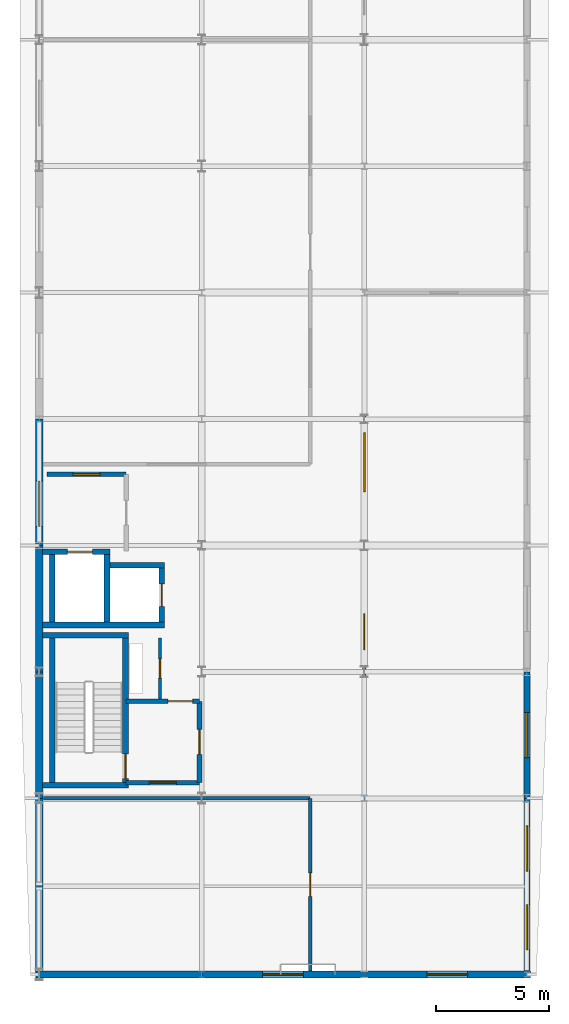
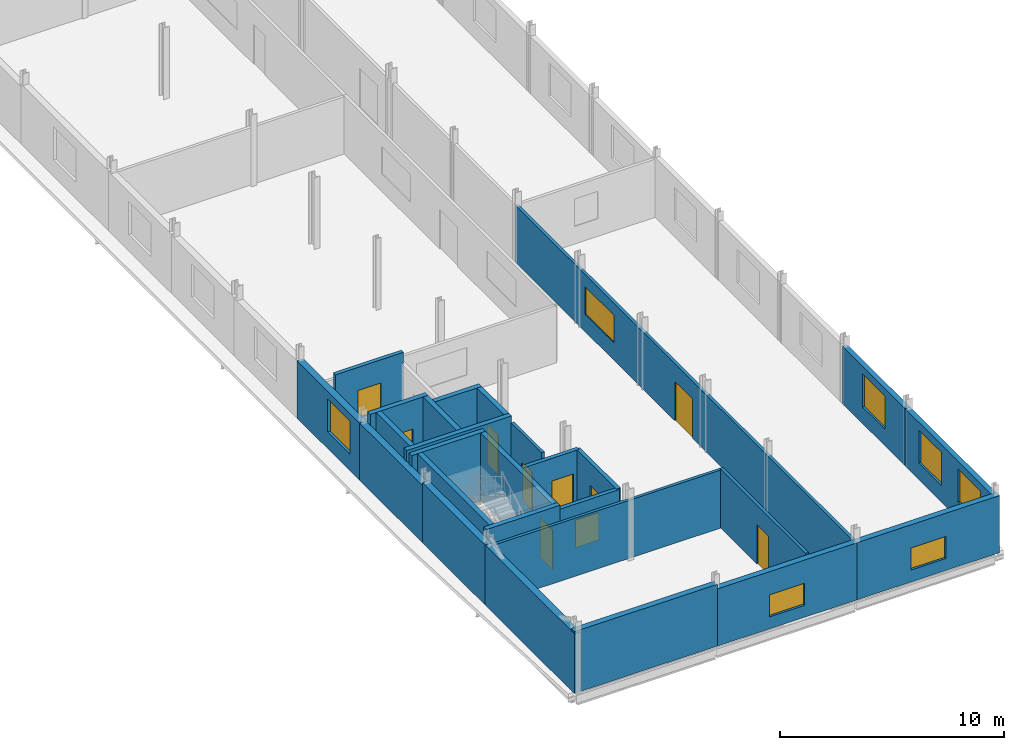
# One storey, part 10 of 16: 27 walls, 9 windows, 8 doors, 17 openings.
"""IFC4 building model written with IfcOpenShell, lengths in metres."""

import ifcopenshell
import ifcopenshell.guid

model = None  # the IFC model being written
_history = None  # IfcOwnerHistory: only IFC2X3 demands one
_inside = {}  # id of a spatial element -> (the spatial element, [elements in it])
_under = {}  # id of a project, library or spatial element -> (it, [spatial elements below it])
_declared = {}  # id of a project -> (the project, [libraries it declares])
_typed = {}  # id of a type object -> (the type object, [elements of that type])
_made_of = {}  # id of a material, layer set ... -> (it, [elements and type objects made of it])


def new_model(schema):
    """Start an empty IFC model of exactly this schema.

    Asked for "IFC4X3", IfcOpenShell would pick the latest addendum, in which some entities
    have other attributes; the version numbers below select the first issue.
    IFC2X3 requires an IfcOwnerHistory on every rooted entity: one is made here for all.
    """
    global model, _history
    if schema == "IFC4X3":
        model = ifcopenshell.file(schema_version=(4, 3, 0, 0))
    else:
        model = ifcopenshell.file(schema=schema)
    _inside.clear()
    _under.clear()
    _declared.clear()
    _typed.clear()
    _made_of.clear()
    _history = None
    if model.schema == "IFC2X3":
        org = make("IfcOrganization", Name="unknown")
        user = make(
            "IfcPersonAndOrganization",
            ThePerson=make("IfcPerson", FamilyName="unknown"),
            TheOrganization=org,
        )
        app = make(
            "IfcApplication",
            ApplicationDeveloper=org,
            Version="unknown",
            ApplicationFullName="unknown",
            ApplicationIdentifier="unknown",
        )
        _history = make(
            "IfcOwnerHistory",
            OwningUser=user,
            OwningApplication=app,
            ChangeAction="ADDED",
            CreationDate=0,
        )
    return model


def make(cls, **values):
    """One entity of the class cls with the attributes given. An attribute that is None is left unset."""
    return model.create_entity(
        cls, **{name: value for name, value in values.items() if value is not None}
    )


def rooted(cls, **values):
    """An entity with a GlobalId (a new one), such as an element, a storey or a relation."""
    return make(cls, GlobalId=ifcopenshell.guid.new(), OwnerHistory=_history, **values)


def si_unit(unit_type, name, prefix=None):
    """IfcSIUnit, for example si_unit("LENGTHUNIT", "METRE", prefix="MILLI")."""
    return make("IfcSIUnit", UnitType=unit_type, Prefix=prefix, Name=name)


def assignment(units):
    """IfcUnitAssignment: the units of a project."""
    return None if units is None else make("IfcUnitAssignment", Units=units)


def point(xyz):
    """IfcCartesianPoint."""
    return None if xyz is None else make("IfcCartesianPoint", Coordinates=xyz)


def direction(xyz):
    """IfcDirection."""
    return None if xyz is None else make("IfcDirection", DirectionRatios=xyz)


def frame(location, z_axis=None, x_axis=None):
    """IfcAxis2Placement3D, a coordinate frame: its origin and axes. An axis left out is left unset."""
    return make(
        "IfcAxis2Placement3D",
        Location=point(location),
        Axis=direction(z_axis),
        RefDirection=direction(x_axis),
    )


def frame_2d(location, x_axis=None):
    """IfcAxis2Placement2D, a coordinate frame in the plane: its origin and x axis."""
    return make(
        "IfcAxis2Placement2D", Location=point(location), RefDirection=direction(x_axis)
    )


def origin():
    """The frame at (0, 0, 0) with its axes left unset."""
    return frame((0.0, 0.0, 0.0))


def place(relative_to, where):
    """IfcLocalPlacement: puts the frame where relative to a parent placement (None: the world)."""
    return make(
        "IfcLocalPlacement", PlacementRelTo=relative_to, RelativePlacement=where
    )


def context(
    kind, dimensions, precision=None, world=None, true_north=None, identifier=None
):
    """IfcGeometricRepresentationContext, for example the 3D "Model" context."""
    return make(
        "IfcGeometricRepresentationContext",
        ContextIdentifier=identifier,
        ContextType=kind,
        CoordinateSpaceDimension=dimensions,
        Precision=precision,
        WorldCoordinateSystem=world,
        TrueNorth=true_north,
    )


def subcontext(parent, identifier, kind, view, scale=None):
    """IfcGeometricRepresentationSubContext, for example "Body" below "Model"."""
    return make(
        "IfcGeometricRepresentationSubContext",
        ContextIdentifier=identifier,
        ContextType=kind,
        ParentContext=parent,
        TargetScale=scale,
        TargetView=view,
    )


def project(units=None, contexts=None):
    """IfcProject with its units and contexts."""
    return rooted(
        "IfcProject",
        Name="project",
        RepresentationContexts=contexts,
        UnitsInContext=assignment(units),
    )


def spatial(cls, under=None, at=None, **own):
    """A site, building, storey or space (cls), placed at a placement, below another one or the project."""
    s = rooted(cls, ObjectPlacement=at, **own)
    if under is not None:
        _under.setdefault(under.id(), (under, []))[1].append(s)
    return s


def profile(cls, at=None, kind="AREA", **sizes):
    """A parametric profile (cls). Its sizes go by their IFC names, for example OverallWidth=200.0."""
    return make(cls, ProfileType=kind, Position=at, **sizes)


def rectangle(**sizes):
    """IfcRectangleProfileDef."""
    return profile("IfcRectangleProfileDef", **sizes)


def extrude(swept, where, along, depth):
    """IfcExtrudedAreaSolid: the profile swept, set in the frame where, extruded along a direction by depth."""
    return make(
        "IfcExtrudedAreaSolid",
        SweptArea=swept,
        Position=where,
        ExtrudedDirection=direction(along),
        Depth=depth,
    )


def shape(context_of_items, identifier, shape_type, items):
    """IfcShapeRepresentation: the items that make up one representation, for example the "Body"."""
    return make(
        "IfcShapeRepresentation",
        ContextOfItems=context_of_items,
        RepresentationIdentifier=identifier,
        RepresentationType=shape_type,
        Items=items,
    )


def material(Name=None, Category=None):
    """IfcMaterial."""
    return make("IfcMaterial", Name=Name, Category=Category)


def layer(
    of_material, thickness, ventilated=None, Name=None, Category=None, Priority=None
):
    """IfcMaterialLayer: one layer of a wall or slab, of a material (None: an air gap)."""
    return make(
        "IfcMaterialLayer",
        Material=of_material,
        LayerThickness=thickness,
        IsVentilated=ventilated,
        Name=Name,
        Category=Category,
        Priority=Priority,
    )


def layer_set(layers, Name=None):
    """IfcMaterialLayerSet."""
    return make("IfcMaterialLayerSet", MaterialLayers=layers, LayerSetName=Name)


def made_of(thing, what):
    """Note that an element or type object is made of a material, layer set ...; save() writes the relation."""
    if what is not None:
        _made_of.setdefault(what.id(), (what, []))[1].append(thing)
    return thing


def type_object(cls, material=None, **own):
    """A type object (cls), such as IfcWallType, which elements share."""
    return made_of(rooted(cls, **own), material)


def element(
    cls,
    number,
    at=None,
    inside=None,
    cuts=None,
    type_object=None,
    material=None,
    context=None,
    identifier="Body",
    shape_type=None,
    held_by="IfcProductDefinitionShape",
    body=None,
    shapes=None,
    **own,
):
    """One element of the class cls, such as IfcWall. Its Tag is "e" and its number.

    at: its placement. inside: the storey or other place that contains it. cuts: it is an
    opening in that element (IfcRelVoidsElement). A single representation is given by context,
    identifier, shape_type and body (its items); several are given by shapes. held_by: the class
    of the entity that holds the representations. save() writes the other relations.
    """
    e = rooted(cls, Tag="e%d" % number, ObjectPlacement=at, **own)
    if body is not None:
        shapes = [shape(context, identifier, shape_type, body)]
    if shapes is not None:
        e.Representation = make(held_by, Representations=shapes)
    if inside is not None:
        _inside.setdefault(inside.id(), (inside, []))[1].append(e)
    if cuts is not None:
        rooted(
            "IfcRelVoidsElement", RelatingBuildingElement=cuts, RelatedOpeningElement=e
        )
    if type_object is not None:
        _typed.setdefault(type_object.id(), (type_object, []))[1].append(e)
    return made_of(e, material)


def fill(opening, filler):
    """IfcRelFillsElement: the door or window that sits in an opening."""
    return rooted(
        "IfcRelFillsElement",
        RelatingOpeningElement=opening,
        RelatedBuildingElement=filler,
    )


def aggregate(whole, parts):
    """IfcRelAggregates: a whole, such as a stair, and the parts it consists of."""
    return rooted("IfcRelAggregates", RelatingObject=whole, RelatedObjects=parts)


def save(model, path):
    """Write the relations noted so far, then the file.

    IfcRelAggregates (storeys below a building ...), IfcRelContainedInSpatialStructure (elements
    in a storey), IfcRelDefinesByType, IfcRelAssociatesMaterial and IfcRelDeclares: one each for
    every whole, place, type object, material and project.
    """
    for whole, parts in _under.values():
        aggregate(whole, parts)
    for where, things in _inside.values():
        rooted(
            "IfcRelContainedInSpatialStructure",
            RelatedElements=things,
            RelatingStructure=where,
        )
    for kind, things in _typed.values():
        rooted("IfcRelDefinesByType", RelatedObjects=things, RelatingType=kind)
    for what, things in _made_of.values():
        rooted("IfcRelAssociatesMaterial", RelatedObjects=things, RelatingMaterial=what)
    for by, libraries in _declared.values():
        rooted("IfcRelDeclares", RelatingContext=by, RelatedDefinitions=libraries)
    model.write(path)


model = new_model("IFC4")

# Units and contexts
model_context = context("Model", 3, precision=1e-05, world=origin(), true_north=direction((0.0, 1.0)))
body_context = subcontext(model_context, "Body", "Model", "MODEL_VIEW")
ifc_project = project(units=[si_unit("LENGTHUNIT", "METRE"), si_unit("AREAUNIT", "SQUARE_METRE"), si_unit("VOLUMEUNIT", "CUBIC_METRE"), si_unit("PLANEANGLEUNIT", "RADIAN"), si_unit("MASSUNIT", "GRAM", prefix="KILO")], contexts=[model_context])

# Site, building, storey
site_placement = place(None, origin())
site = spatial("IfcSite", under=ifc_project, at=site_placement, CompositionType="ELEMENT")
building_placement = place(site_placement, origin())
building = spatial("IfcBuilding", under=site, at=building_placement, Name="Vinh Khe Railworks Police Headquarters", CompositionType="ELEMENT")
storey_placement = place(building_placement, frame((0.0, 0.0, 28.800048828125)))
storey = spatial("IfcBuildingStorey", under=building, at=storey_placement, Name="L07", CompositionType="ELEMENT", Elevation=28.800048828125)

# Walls
ifc_material_1 = material(Name="Concrete C40/50 (B40)", Category="concrete")
ifc_layer_1 = layer(ifc_material_1, 0.25)
ifc_layer_set_1 = layer_set([ifc_layer_1], Name="Concrete C40/50 (B40)")
wall_type_1 = type_object("IfcWallType", Name="Core Shear Wall 250", PredefinedType="SHEAR", material=ifc_layer_set_1)
for number, where, z_axis, x_axis, name in (
    (1, (0.75, 25.77490234375, 0.0), (0.0, 0.0, 1.0), (1.0, 0.0, 0.0), "Core C1 STAIR-S Shear Wall (L07)"),
    (2, (0.75, 32.425048828125, 0.0), (0.0, 0.0, 1.0), (1.0, 0.0, 0.0), "Core C1 STAIR-N Shear Wall (L07)"),
):
    element("IfcWall", number, at=place(storey_placement, frame(where, z_axis=z_axis, x_axis=x_axis)), inside=storey, type_object=wall_type_1, Name=name, PredefinedType="SHEAR", context=body_context, shape_type="SweptSolid", body=[
        extrude(rectangle(XDim=3.800048828125, YDim=0.25, at=frame_2d((1.89990234375, 0.0))), origin(), (0.0, 0.0, 1.0), 3.719970703125),
    ])
wall_1_placement = place(storey_placement, frame((1.175048828125, 25.89990234375, 0.0), z_axis=(0.0, 0.0, 1.0), x_axis=(0.0, 1.0, 0.0)))
element("IfcWall", 3, at=wall_1_placement, inside=storey, type_object=wall_type_1, Name="Core C1 STAIR-W Shear Wall (L07)", PredefinedType="SHEAR", context=body_context, shape_type="SweptSolid", body=[
    extrude(rectangle(XDim=6.400146484375, YDim=0.25, at=frame_2d((3.2001953125, 0.0))), origin(), (0.0, 0.0, 1.0), 3.719970703125),
])

# Wall, opening, door
wall_2_placement = place(storey_placement, frame((4.425048828125, 25.89990234375, 0.0), z_axis=(0.0, 0.0, 1.0), x_axis=(0.0, 1.0, 0.0)))
wall_2 = element("IfcWall", 4, at=wall_2_placement, inside=storey, type_object=wall_type_1, Name="Core C1 STAIR-E Shear Wall (L07)", PredefinedType="SHEAR", context=body_context, shape_type="SweptSolid", body=[
    extrude(rectangle(XDim=6.400146484375, YDim=0.25, at=frame_2d((3.2001953125, 0.0))), origin(), (0.0, 0.0, 1.0), 3.719970703125),
])
opening_1_placement = place(wall_2_placement, frame((0.169921875, 0.0, 0.0)))
opening_1 = element("IfcOpeningElement", 5, at=opening_1_placement, cuts=wall_2, Name="Opening FD-01", PredefinedType="OPENING", context=body_context, shape_type="SweptSolid", body=[
    extrude(rectangle(XDim=1.10009765625, YDim=2.14990234375, at=frame_2d((0.550048828125, 1.074951171875))), frame((0.0, 0.139892578125, 0.0), z_axis=(0.0, -1.0, 0.0), x_axis=(1.0, 0.0, 0.0)), (0.0, 0.0, 1.0), 0.27978515625),
])
ifc_material_2 = material(Name="Painted galvanised steel", Category="steel")
door_type_1 = type_object("IfcDoorType", Name="FD-1100x2150", OperationType="NOTDEFINED", PredefinedType="DOOR", material=ifc_material_2)
door_1_placement = place(opening_1_placement, frame((1.10009765625, 0.0, 0.0), z_axis=(0.0, 0.0, 1.0), x_axis=(-1.0, 0.0, 0.0)))
door_1 = element("IfcDoor", 6, at=door_1_placement, inside=storey, type_object=door_type_1, Name="Escape Stair ST-01 Fire Door L07", OperationType="SINGLE_SWING_RIGHT", OverallHeight=2.14990234375, OverallWidth=1.10009765625, PredefinedType="DOOR", context=body_context, shape_type="SweptSolid", body=[
    extrude(rectangle(XDim=1.10009765625, YDim=2.14990234375, at=frame_2d((0.550048828125, 1.074951171875))), frame((0.0, 0.02490234375, 0.0), z_axis=(0.0, -1.0, 0.0), x_axis=(1.0, 0.0, 0.0)), (0.0, 0.0, 1.0), 0.050048828125),
])
fill(opening_1, door_1)

# Wall
wall_3_placement = place(storey_placement, frame((0.75, 32.875, 0.0), z_axis=(0.0, 0.0, 1.0), x_axis=(1.0, 0.0, 0.0)))
element("IfcWall", 7, at=wall_3_placement, inside=storey, type_object=wall_type_1, Name="Core C1 FL-S Lift Shaft Wall (L07)", PredefinedType="SHEAR", context=body_context, shape_type="SweptSolid", body=[
    extrude(rectangle(XDim=5.39990234375, YDim=0.25, at=frame_2d((2.699951171875, 0.0))), origin(), (0.0, 0.0, 1.0), 3.719970703125),
])

# Wall, opening, door
wall_4_placement = place(storey_placement, frame((0.75, 36.125, 0.0), z_axis=(0.0, 0.0, 1.0), x_axis=(1.0, 0.0, 0.0)))
wall_4 = element("IfcWall", 8, at=wall_4_placement, inside=storey, type_object=wall_type_1, Name="Core C1 FL-N Lift Shaft Wall (L07)", PredefinedType="SHEAR", context=body_context, shape_type="SweptSolid", body=[
    extrude(rectangle(XDim=2.97509765625, YDim=0.25, at=frame_2d((1.487548828125, 0.0))), origin(), (0.0, 0.0, 1.0), 3.719970703125),
])
opening_2_placement = place(wall_4_placement, frame((1.10009765625, 0.0, 0.0)))
opening_2 = element("IfcOpeningElement", 9, at=opening_2_placement, cuts=wall_4, Name="Opening LD-01", PredefinedType="OPENING", context=body_context, shape_type="SweptSolid", body=[
    extrude(rectangle(XDim=1.10009765625, YDim=2.14990234375, at=frame_2d((0.550048828125, 1.074951171875))), frame((0.0, 0.139892578125, 0.0), z_axis=(0.0, -1.0, 0.0), x_axis=(1.0, 0.0, 0.0)), (0.0, 0.0, 1.0), 0.27978515625),
])
door_type_2 = type_object("IfcDoorType", Name="LD-FF-1100", OperationType="SLIDING_TO_LEFT", PredefinedType="DOOR", material=ifc_material_2)
door_2_placement = place(opening_2_placement, origin())
door_2 = element("IfcDoor", 10, at=door_2_placement, inside=storey, type_object=door_type_2, Name="Firefighting Lift Landing Door FL-01 L07", OperationType="SLIDING_TO_LEFT", OverallHeight=2.14990234375, OverallWidth=1.10009765625, PredefinedType="DOOR", context=body_context, shape_type="SweptSolid", body=[
    extrude(rectangle(XDim=1.10009765625, YDim=2.14990234375, at=frame_2d((0.550048828125, 1.074951171875))), frame((0.0, 0.02490234375, 0.0), z_axis=(0.0, -1.0, 0.0), x_axis=(1.0, 0.0, 0.0)), (0.0, 0.0, 1.0), 0.050048828125),
])
fill(opening_2, door_2)

# Walls
wall_5_placement = place(storey_placement, frame((3.72509765625, 35.52490234375, 0.0), z_axis=(0.0, 0.0, 1.0), x_axis=(1.0, 0.0, 0.0)))
element("IfcWall", 11, at=wall_5_placement, inside=storey, type_object=wall_type_1, Name="Core C1 PL-N Lift Shaft Wall (L07)", PredefinedType="SHEAR", context=body_context, shape_type="SweptSolid", body=[
    extrude(rectangle(XDim=2.4248046875, YDim=0.25, at=frame_2d((1.21240234375, 0.0))), origin(), (0.0, 0.0, 1.0), 3.719970703125),
])
for number, where, z_axis, x_axis, name in (
    (12, (1.175048828125, 33.0, 0.0), (0.0, 0.0, 1.0), (0.0, 1.0, 0.0), "Core C1 FL-W Lift Shaft Wall (L07)"),
    (13, (3.60009765625, 33.0, 0.0), (0.0, 0.0, 1.0), (0.0, 1.0, 0.0), "Core C1 LIFT-DIV Lift Shaft Wall (L07)"),
):
    element("IfcWall", number, at=place(storey_placement, frame(where, z_axis=z_axis, x_axis=x_axis)), inside=storey, type_object=wall_type_1, Name=name, PredefinedType="SHEAR", context=body_context, shape_type="SweptSolid", body=[
        extrude(rectangle(XDim=3.0, YDim=0.25, at=frame_2d((1.5, 0.0))), origin(), (0.0, 0.0, 1.0), 3.719970703125),
    ])

# Wall, opening, door
wall_6_placement = place(storey_placement, frame((6.02490234375, 33.0, 0.0), z_axis=(0.0, 0.0, 1.0), x_axis=(0.0, 1.0, 0.0)))
wall_6 = element("IfcWall", 14, at=wall_6_placement, inside=storey, type_object=wall_type_1, Name="Core C1 PL-E Lift Shaft Wall (L07)", PredefinedType="SHEAR", context=body_context, shape_type="SweptSolid", body=[
    extrude(rectangle(XDim=2.39990234375, YDim=0.25, at=frame_2d((1.199951171875, 0.0))), origin(), (0.0, 0.0, 1.0), 3.719970703125),
])
opening_3_placement = place(wall_6_placement, frame((0.699951171875, 0.0, 0.0)))
opening_3 = element("IfcOpeningElement", 15, at=opening_3_placement, cuts=wall_6, Name="Opening LD-02", PredefinedType="OPENING", context=body_context, shape_type="SweptSolid", body=[
    extrude(rectangle(XDim=1.0, YDim=2.14990234375, at=frame_2d((0.5, 1.074951171875))), frame((0.0, 0.139892578125, 0.0), z_axis=(0.0, -1.0, 0.0), x_axis=(1.0, 0.0, 0.0)), (0.0, 0.0, 1.0), 0.27978515625),
])
door_type_3 = type_object("IfcDoorType", Name="LD-PAX-1000", OperationType="SLIDING_TO_RIGHT", PredefinedType="DOOR", material=ifc_material_2)
door_3_placement = place(opening_3_placement, frame((1.0, 0.0, 0.0), z_axis=(0.0, 0.0, 1.0), x_axis=(-1.0, 0.0, 0.0)))
door_3 = element("IfcDoor", 16, at=door_3_placement, inside=storey, type_object=door_type_3, Name="Passenger Lift Landing Door PL-01 L07", OperationType="SLIDING_TO_RIGHT", OverallHeight=2.14990234375, OverallWidth=1.0, PredefinedType="DOOR", context=body_context, shape_type="SweptSolid", body=[
    extrude(rectangle(XDim=1.0, YDim=2.14990234375, at=frame_2d((0.5, 1.074951171875))), frame((0.0, 0.02490234375, 0.0), z_axis=(0.0, -1.0, 0.0), x_axis=(1.0, 0.0, 0.0)), (0.0, 0.0, 1.0), 0.050048828125),
])
fill(opening_3, door_3)

# Wall, openings, windows
ifc_material_3 = material(Name="Clay brickwork", Category="masonry")
ifc_layer_2 = layer(ifc_material_3, 0.260009765625)
ifc_layer_set_2 = layer_set([ifc_layer_2], Name="Clay brickwork")
wall_type_2 = type_object("IfcWallType", Name="EW-BRK-260", PredefinedType="SOLIDWALL", material=ifc_layer_set_2)
wall_7_placement = place(storey_placement, frame((22.199951171875, 17.27001953125, 0.0), z_axis=(0.0, 0.0, 1.0), x_axis=(0.0, 1.0, 0.0)))
wall_7 = element("IfcWall", 17, at=wall_7_placement, inside=storey, type_object=wall_type_2, Name="Exterior Brick Wall EW-L07-V5E-01", PredefinedType="SOLIDWALL", context=body_context, shape_type="SweptSolid", body=[
    extrude(rectangle(XDim=7.929931640625, YDim=0.260009765625, at=frame_2d((3.96484375, 0.0))), origin(), (0.0, 0.0, 1.0), 3.114990234375),
])
opening_4_placement = place(wall_7_placement, frame((1.220458984375, 0.0, 0.89990234375)))
opening_4 = element("IfcOpeningElement", 18, at=opening_4_placement, cuts=wall_7, Name="Opening WN-04", PredefinedType="OPENING", context=body_context, shape_type="SweptSolid", body=[
    extrude(rectangle(XDim=2.0, YDim=1.800048828125, at=frame_2d((1.0, 0.89990234375))), frame((0.0, 0.14501953125, 0.0), z_axis=(0.0, -1.0, 0.0), x_axis=(1.0, 0.0, 0.0)), (0.0, 0.0, 1.0), 0.289794921875),
])
opening_5_placement = place(wall_7_placement, frame((4.709716796875, 0.0, 0.89990234375)))
opening_5 = element("IfcOpeningElement", 19, at=opening_5_placement, cuts=wall_7, Name="Opening WN-04", PredefinedType="OPENING", context=body_context, shape_type="SweptSolid", body=[
    extrude(rectangle(XDim=2.0, YDim=1.800048828125, at=frame_2d((1.0, 0.89990234375))), frame((0.0, 0.14501953125, 0.0), z_axis=(0.0, -1.0, 0.0), x_axis=(1.0, 0.0, 0.0)), (0.0, 0.0, 1.0), 0.289794921875),
])
ifc_material_4 = material(Name="Double-glazed solar-control glass in dark steel frame", Category="steel")
window_type_1 = type_object("IfcWindowType", Name="WIN-WN-04", PartitioningType="DOUBLE_PANEL_VERTICAL", PredefinedType="WINDOW", material=ifc_material_4)
window_1_placement = place(opening_4_placement, origin())
window_1 = element("IfcWindow", 20, at=window_1_placement, inside=storey, type_object=window_type_1, Name="Casement Window WN-04", OverallHeight=1.800048828125, OverallWidth=2.0, PartitioningType="SINGLE_PANEL", PredefinedType="WINDOW", context=body_context, shape_type="SweptSolid", body=[
    extrude(rectangle(XDim=2.0, YDim=1.800048828125, at=frame_2d((1.0, 0.89990234375))), frame((0.0, 0.030029296875, 0.0), z_axis=(0.0, -1.0, 0.0), x_axis=(1.0, 0.0, 0.0)), (0.0, 0.0, 1.0), 0.06005859375),
])
fill(opening_4, window_1)
window_2_placement = place(opening_5_placement, origin())
window_2 = element("IfcWindow", 21, at=window_2_placement, inside=storey, type_object=window_type_1, Name="Casement Window WN-04", OverallHeight=1.800048828125, OverallWidth=2.0, PartitioningType="SINGLE_PANEL", PredefinedType="WINDOW", context=body_context, shape_type="SweptSolid", body=[
    extrude(rectangle(XDim=2.0, YDim=1.800048828125, at=frame_2d((1.0, 0.89990234375))), frame((0.0, 0.030029296875, 0.0), z_axis=(0.0, -1.0, 0.0), x_axis=(1.0, 0.0, 0.0)), (0.0, 0.0, 1.0), 0.06005859375),
])
fill(opening_5, window_2)

# Wall, opening, window
wall_8_placement = place(storey_placement, frame((22.199951171875, 25.199951171875, 0.0), z_axis=(0.0, 0.0, 1.0), x_axis=(0.0, 1.0, 0.0)))
wall_8 = element("IfcWall", 22, at=wall_8_placement, inside=storey, type_object=wall_type_2, Name="Exterior Brick Wall EW-L07-V5E-02", PredefinedType="SOLIDWALL", context=body_context, shape_type="SweptSolid", body=[
    extrude(rectangle(XDim=5.60009765625, YDim=0.260009765625, at=frame_2d((2.800048828125, 0.0))), origin(), (0.0, 0.0, 1.0), 3.114990234375),
])
opening_6_placement = place(wall_8_placement, frame((1.800048828125, 0.0, 0.89990234375)))
opening_6 = element("IfcOpeningElement", 23, at=opening_6_placement, cuts=wall_8, Name="Opening WN-04", PredefinedType="OPENING", context=body_context, shape_type="SweptSolid", body=[
    extrude(rectangle(XDim=2.0, YDim=1.800048828125, at=frame_2d((1.0, 0.89990234375))), frame((0.0, 0.14501953125, 0.0), z_axis=(0.0, -1.0, 0.0), x_axis=(1.0, 0.0, 0.0)), (0.0, 0.0, 1.0), 0.289794921875),
])
window_3_placement = place(opening_6_placement, origin())
window_3 = element("IfcWindow", 24, at=window_3_placement, inside=storey, type_object=window_type_1, Name="Casement Window WN-04", OverallHeight=1.800048828125, OverallWidth=2.0, PartitioningType="SINGLE_PANEL", PredefinedType="WINDOW", context=body_context, shape_type="SweptSolid", body=[
    extrude(rectangle(XDim=2.0, YDim=1.800048828125, at=frame_2d((1.0, 0.89990234375))), frame((0.0, 0.030029296875, 0.0), z_axis=(0.0, -1.0, 0.0), x_axis=(1.0, 0.0, 0.0)), (0.0, 0.0, 1.0), 0.06005859375),
])
fill(opening_6, window_3)

# Wall
ifc_layer_3 = layer(ifc_material_3, 0.300048828125)
ifc_layer_set_3 = layer_set([ifc_layer_3], Name="Clay brickwork")
wall_type_3 = type_object("IfcWallType", Name="EW-BRK-300", PredefinedType="SOLIDWALL", material=ifc_layer_set_3)
wall_9_placement = place(storey_placement, frame((0.449951171875, 17.39990234375, 0.0), z_axis=(0.0, 0.0, 1.0), x_axis=(1.0, 0.0, 0.0)))
element("IfcWall", 25, at=wall_9_placement, inside=storey, type_object=wall_type_3, Name="Exterior Brick Wall EW-L07-V5S-01", PredefinedType="SOLIDWALL", context=body_context, shape_type="SweptSolid", body=[
    extrude(rectangle(XDim=7.35009765625, YDim=0.300048828125, at=frame_2d((3.675048828125, 0.0))), origin(), (0.0, 0.0, 1.0), 3.364990234375),
])

# Wall, opening, window
wall_10_placement = place(storey_placement, frame((7.800048828125, 17.39990234375, 0.0), z_axis=(0.0, 0.0, 1.0), x_axis=(1.0, 0.0, 0.0)))
wall_10 = element("IfcWall", 26, at=wall_10_placement, inside=storey, type_object=wall_type_3, Name="Exterior Brick Wall EW-L07-V5S-02", PredefinedType="SOLIDWALL", context=body_context, shape_type="SweptSolid", body=[
    extrude(rectangle(XDim=7.199951171875, YDim=0.300048828125, at=frame_2d((3.60009765625, 0.0))), origin(), (0.0, 0.0, 1.0), 3.114990234375),
])
opening_7_placement = place(wall_10_placement, frame((2.699951171875, 0.0, 0.64990234375)))
opening_7 = element("IfcOpeningElement", 27, at=opening_7_placement, cuts=wall_10, Name="Opening WN-08", PredefinedType="OPENING", context=body_context, shape_type="SweptSolid", body=[
    extrude(rectangle(XDim=1.800048828125, YDim=1.199951171875, at=frame_2d((0.89990234375, 0.60009765625))), frame((0.0, 0.1650390625, 0.0), z_axis=(0.0, -1.0, 0.0), x_axis=(1.0, 0.0, 0.0)), (0.0, 0.0, 1.0), 0.329833984375),
])
window_type_2 = type_object("IfcWindowType", Name="WIN-WN-08", PartitioningType="SINGLE_PANEL", PredefinedType="WINDOW", material=ifc_material_4)
window_4_placement = place(opening_7_placement, origin())
window_4 = element("IfcWindow", 28, at=window_4_placement, inside=storey, type_object=window_type_2, Name="Casement Window WN-08", OverallHeight=1.199951171875, OverallWidth=1.800048828125, PartitioningType="SINGLE_PANEL", PredefinedType="WINDOW", context=body_context, shape_type="SweptSolid", body=[
    extrude(rectangle(XDim=1.800048828125, YDim=1.199951171875, at=frame_2d((0.89990234375, 0.60009765625))), frame((0.0, 0.030029296875, 0.0), z_axis=(0.0, -1.0, 0.0), x_axis=(1.0, 0.0, 0.0)), (0.0, 0.0, 1.0), 0.06005859375),
])
fill(opening_7, window_4)

wall_11_placement = place(storey_placement, frame((15.0, 17.39990234375, 0.0), z_axis=(0.0, 0.0, 1.0), x_axis=(1.0, 0.0, 0.0)))
wall_11 = element("IfcWall", 29, at=wall_11_placement, inside=storey, type_object=wall_type_3, Name="Exterior Brick Wall EW-L07-V5S-03", PredefinedType="SOLIDWALL", context=body_context, shape_type="SweptSolid", body=[
    extrude(rectangle(XDim=7.35009765625, YDim=0.300048828125, at=frame_2d((3.675048828125, 0.0))), origin(), (0.0, 0.0, 1.0), 3.114990234375),
])
opening_8_placement = place(wall_11_placement, frame((2.77490234375, 0.0, 0.64990234375)))
opening_8 = element("IfcOpeningElement", 30, at=opening_8_placement, cuts=wall_11, Name="Opening WN-08", PredefinedType="OPENING", context=body_context, shape_type="SweptSolid", body=[
    extrude(rectangle(XDim=1.800048828125, YDim=1.199951171875, at=frame_2d((0.89990234375, 0.60009765625))), frame((0.0, 0.1650390625, 0.0), z_axis=(0.0, -1.0, 0.0), x_axis=(1.0, 0.0, 0.0)), (0.0, 0.0, 1.0), 0.329833984375),
])
window_5_placement = place(opening_8_placement, origin())
window_5 = element("IfcWindow", 31, at=window_5_placement, inside=storey, type_object=window_type_2, Name="Casement Window WN-08", OverallHeight=1.199951171875, OverallWidth=1.800048828125, PartitioningType="SINGLE_PANEL", PredefinedType="WINDOW", context=body_context, shape_type="SweptSolid", body=[
    extrude(rectangle(XDim=1.800048828125, YDim=1.199951171875, at=frame_2d((0.89990234375, 0.60009765625))), frame((0.0, 0.030029296875, 0.0), z_axis=(0.0, -1.0, 0.0), x_axis=(1.0, 0.0, 0.0)), (0.0, 0.0, 1.0), 0.06005859375),
])
fill(opening_8, window_5)

# Walls
ifc_layer_4 = layer(ifc_material_3, 0.340087890625)
ifc_layer_set_4 = layer_set([ifc_layer_4], Name="Clay brickwork")
wall_type_4 = type_object("IfcWallType", Name="EW-BRK-340", PredefinedType="SOLIDWALL", material=ifc_layer_set_4)
wall_12_placement = place(storey_placement, frame((0.60009765625, 17.22998046875, 0.0), z_axis=(0.0, 0.0, 1.0), x_axis=(0.0, 1.0, 0.0)))
element("IfcWall", 32, at=wall_12_placement, inside=storey, type_object=wall_type_4, Name="Exterior Brick Wall EW-L07-V5W-01", PredefinedType="SOLIDWALL", context=body_context, shape_type="SweptSolid", body=[
    extrude(rectangle(XDim=7.969970703125, YDim=0.340087890625, at=frame_2d((3.98486328125, 0.0))), origin(), (0.0, 0.0, 1.0), 3.264892578125),
])
wall_13_placement = place(storey_placement, frame((0.60009765625, 25.199951171875, 0.0), z_axis=(0.0, 0.0, 1.0), x_axis=(0.0, 1.0, 0.0)))
element("IfcWall", 33, at=wall_13_placement, inside=storey, type_object=wall_type_4, Name="Exterior Brick Wall EW-L07-V5W-02", PredefinedType="SOLIDWALL", context=body_context, shape_type="SweptSolid", body=[
    extrude(rectangle(XDim=5.60009765625, YDim=0.340087890625, at=frame_2d((2.800048828125, 0.0))), origin(), (0.0, 0.0, 1.0), 3.264892578125),
])
wall_14_placement = place(storey_placement, frame((0.60009765625, 30.800048828125, 0.0), z_axis=(0.0, 0.0, 1.0), x_axis=(0.0, 1.0, 0.0)))
element("IfcWall", 34, at=wall_14_placement, inside=storey, type_object=wall_type_4, Name="Exterior Brick Wall EW-L07-V5W-03", PredefinedType="SOLIDWALL", context=body_context, shape_type="SweptSolid", body=[
    extrude(rectangle(XDim=5.599853515625, YDim=0.340087890625, at=frame_2d((2.7998046875, 0.0))), origin(), (0.0, 0.0, 1.0), 3.114990234375),
])

# Wall, opening, window
wall_15_placement = place(storey_placement, frame((0.60009765625, 36.39990234375, 0.0), z_axis=(0.0, 0.0, 1.0), x_axis=(0.0, 1.0, 0.0)))
wall_15 = element("IfcWall", 35, at=wall_15_placement, inside=storey, type_object=wall_type_4, Name="Exterior Brick Wall EW-L07-V5W-04", PredefinedType="SOLIDWALL", context=body_context, shape_type="SweptSolid", body=[
    extrude(rectangle(XDim=5.60009765625, YDim=0.340087890625, at=frame_2d((2.800048828125, 0.0))), origin(), (0.0, 0.0, 1.0), 3.114990234375),
])
opening_9_placement = place(wall_15_placement, frame((0.85009765625, 0.0, 0.89990234375)))
opening_9 = element("IfcOpeningElement", 36, at=opening_9_placement, cuts=wall_15, Name="Opening WN-04", PredefinedType="OPENING", context=body_context, shape_type="SweptSolid", body=[
    extrude(rectangle(XDim=2.0, YDim=1.800048828125, at=frame_2d((1.0, 0.89990234375))), frame((0.0, 0.18505859375, 0.0), z_axis=(0.0, -1.0, 0.0), x_axis=(1.0, 0.0, 0.0)), (0.0, 0.0, 1.0), 0.369873046875),
])
window_6_placement = place(opening_9_placement, origin())
window_6 = element("IfcWindow", 37, at=window_6_placement, inside=storey, type_object=window_type_1, Name="Casement Window WN-04", OverallHeight=1.800048828125, OverallWidth=2.0, PartitioningType="SINGLE_PANEL", PredefinedType="WINDOW", context=body_context, shape_type="SweptSolid", body=[
    extrude(rectangle(XDim=2.0, YDim=1.800048828125, at=frame_2d((1.0, 0.89990234375))), frame((0.0, 0.030029296875, 0.0), z_axis=(0.0, -1.0, 0.0), x_axis=(1.0, 0.0, 0.0)), (0.0, 0.0, 1.0), 0.06005859375),
])
fill(opening_9, window_6)

ifc_material_5 = material(Name="Autoclaved aerated concrete blockwork", Category="masonry")
ifc_layer_5 = layer(ifc_material_5, 0.199951171875)
ifc_layer_set_5 = layer_set([ifc_layer_5], Name="Autoclaved aerated concrete blockwork")
wall_type_5 = type_object("IfcWallType", Name="IW-BLK-200", PredefinedType="PARTITIONING", material=ifc_layer_set_5)
wall_16_placement = place(storey_placement, frame((0.949951171875, 39.550048828125, 0.0), z_axis=(0.0, 0.0, 1.0), x_axis=(1.0, 0.0, 0.0)))
wall_16 = element("IfcWall", 38, at=wall_16_placement, inside=storey, type_object=wall_type_5, Name="Interior Partition W-FFL-C1-N-L07", PredefinedType="PARTITIONING", context=body_context, shape_type="SweptSolid", body=[
    extrude(rectangle(XDim=3.5, YDim=0.199951171875, at=frame_2d((1.75, 0.0))), origin(), (0.0, 0.0, 1.0), 3.71484375),
])
opening_10_placement = place(wall_16_placement, frame((1.14990234375, 0.0, 0.949951171875)))
opening_10 = element("IfcOpeningElement", 39, at=opening_10_placement, cuts=wall_16, Name="Opening WN-10", PredefinedType="OPENING", context=body_context, shape_type="SweptSolid", body=[
    extrude(rectangle(XDim=1.199951171875, YDim=1.5, at=frame_2d((0.60009765625, 0.75))), frame((0.0, 0.11474609375, 0.0), z_axis=(0.0, -1.0, 0.0), x_axis=(1.0, 0.0, 0.0)), (0.0, 0.0, 1.0), 0.229736328125),
])
window_type_3 = type_object("IfcWindowType", Name="WIN-WN-10", PartitioningType="SINGLE_PANEL", PredefinedType="WINDOW", material=ifc_material_4)
window_7_placement = place(opening_10_placement, origin())
window_7 = element("IfcWindow", 40, at=window_7_placement, inside=storey, type_object=window_type_3, Name="Interior Acoustic Vision Window WN-10", OverallHeight=1.5, OverallWidth=1.199951171875, PartitioningType="SINGLE_PANEL", PredefinedType="WINDOW", context=body_context, shape_type="SweptSolid", body=[
    extrude(rectangle(XDim=1.199951171875, YDim=1.5, at=frame_2d((0.60009765625, 0.75))), frame((0.0, 0.030029296875, 0.0), z_axis=(0.0, -1.0, 0.0), x_axis=(1.0, 0.0, 0.0)), (0.0, 0.0, 1.0), 0.06005859375),
])
fill(opening_10, window_7)

wall_17_placement = place(storey_placement, frame((4.449951171875, 25.89990234375, 0.0), z_axis=(0.0, 0.0, 1.0), x_axis=(1.0, 0.0, 0.0)))
wall_17 = element("IfcWall", 41, at=wall_17_placement, inside=storey, type_object=wall_type_5, Name="Interior Partition W-STL-C1-S-L07", PredefinedType="PARTITIONING", context=body_context, shape_type="SweptSolid", body=[
    extrude(rectangle(XDim=3.25, YDim=0.199951171875, at=frame_2d((1.625, 0.0))), origin(), (0.0, 0.0, 1.0), 3.385009765625),
])
opening_11_placement = place(wall_17_placement, frame((1.02490234375, 0.0, 0.949951171875)))
opening_11 = element("IfcOpeningElement", 42, at=opening_11_placement, cuts=wall_17, Name="Opening WN-10", PredefinedType="OPENING", context=body_context, shape_type="SweptSolid", body=[
    extrude(rectangle(XDim=1.199951171875, YDim=1.5, at=frame_2d((0.60009765625, 0.75))), frame((0.0, 0.11474609375, 0.0), z_axis=(0.0, -1.0, 0.0), x_axis=(1.0, 0.0, 0.0)), (0.0, 0.0, 1.0), 0.229736328125),
])
window_8_placement = place(opening_11_placement, origin())
window_8 = element("IfcWindow", 43, at=window_8_placement, inside=storey, type_object=window_type_3, Name="Interior Acoustic Vision Window WN-10", OverallHeight=1.5, OverallWidth=1.199951171875, PartitioningType="SINGLE_PANEL", PredefinedType="WINDOW", context=body_context, shape_type="SweptSolid", body=[
    extrude(rectangle(XDim=1.199951171875, YDim=1.5, at=frame_2d((0.60009765625, 0.75))), frame((0.0, 0.030029296875, 0.0), z_axis=(0.0, -1.0, 0.0), x_axis=(1.0, 0.0, 0.0)), (0.0, 0.0, 1.0), 0.06005859375),
])
fill(opening_11, window_8)

# Wall, opening, door
wall_18_placement = place(storey_placement, frame((4.449951171875, 29.5, 0.0), z_axis=(0.0, 0.0, 1.0), x_axis=(1.0, 0.0, 0.0)))
wall_18 = element("IfcWall", 44, at=wall_18_placement, inside=storey, type_object=wall_type_5, Name="Interior Partition W-STL-C1-N-L07", PredefinedType="PARTITIONING", context=body_context, shape_type="SweptSolid", body=[
    extrude(rectangle(XDim=3.25, YDim=0.199951171875, at=frame_2d((1.625, 0.0))), origin(), (0.0, 0.0, 1.0), 3.385009765625),
])
opening_12_placement = place(wall_18_placement, frame((1.85009765625, 0.0, 0.0)))
opening_12 = element("IfcOpeningElement", 45, at=opening_12_placement, cuts=wall_18, Name="Opening FD-01", PredefinedType="OPENING", context=body_context, shape_type="SweptSolid", body=[
    extrude(rectangle(XDim=1.10009765625, YDim=2.14990234375, at=frame_2d((0.550048828125, 1.074951171875))), frame((0.0, 0.11474609375, 0.0), z_axis=(0.0, -1.0, 0.0), x_axis=(1.0, 0.0, 0.0)), (0.0, 0.0, 1.0), 0.229736328125),
])
door_4_placement = place(opening_12_placement, origin())
door_4 = element("IfcDoor", 46, at=door_4_placement, inside=storey, type_object=door_type_1, Name="Lift Lobby Stair Fire Door", OperationType="SINGLE_SWING_RIGHT", OverallHeight=2.14990234375, OverallWidth=1.10009765625, PredefinedType="DOOR", context=body_context, shape_type="SweptSolid", body=[
    extrude(rectangle(XDim=1.10009765625, YDim=2.14990234375, at=frame_2d((0.550048828125, 1.074951171875))), frame((0.0, 0.02490234375, 0.0), z_axis=(0.0, -1.0, 0.0), x_axis=(1.0, 0.0, 0.0)), (0.0, 0.0, 1.0), 0.050048828125),
])
fill(opening_12, door_4)

wall_19_placement = place(storey_placement, frame((7.699951171875, 25.89990234375, 0.0), z_axis=(0.0, 0.0, 1.0), x_axis=(0.0, 1.0, 0.0)))
wall_19 = element("IfcWall", 47, at=wall_19_placement, inside=storey, type_object=wall_type_5, Name="Interior Partition W-STL-C1-E-L07", PredefinedType="PARTITIONING", context=body_context, shape_type="SweptSolid", body=[
    extrude(rectangle(XDim=3.60009765625, YDim=0.199951171875, at=frame_2d((1.800048828125, 0.0))), origin(), (0.0, 0.0, 1.0), 3.385009765625),
])
opening_13_placement = place(wall_19_placement, frame((1.25, 0.0, 0.0)))
opening_13 = element("IfcOpeningElement", 48, at=opening_13_placement, cuts=wall_19, Name="Opening FD-01", PredefinedType="OPENING", context=body_context, shape_type="SweptSolid", body=[
    extrude(rectangle(XDim=1.10009765625, YDim=2.14990234375, at=frame_2d((0.550048828125, 1.074951171875))), frame((0.0, 0.11474609375, 0.0), z_axis=(0.0, -1.0, 0.0), x_axis=(1.0, 0.0, 0.0)), (0.0, 0.0, 1.0), 0.229736328125),
])
door_5_placement = place(opening_13_placement, origin())
door_5 = element("IfcDoor", 49, at=door_5_placement, inside=storey, type_object=door_type_1, Name="Stair Vestibule Fire Door", OperationType="SINGLE_SWING_LEFT", OverallHeight=2.14990234375, OverallWidth=1.10009765625, PredefinedType="DOOR", context=body_context, shape_type="SweptSolid", body=[
    extrude(rectangle(XDim=1.10009765625, YDim=2.14990234375, at=frame_2d((0.550048828125, 1.074951171875))), frame((0.0, 0.02490234375, 0.0), z_axis=(0.0, -1.0, 0.0), x_axis=(1.0, 0.0, 0.0)), (0.0, 0.0, 1.0), 0.050048828125),
])
fill(opening_13, door_5)

# Wall
ifc_material_6 = material(Name="Gypsum plasterboard on steel stud", Category="steel")
ifc_layer_6 = layer(ifc_material_6, 0.1201171875)
ifc_layer_set_6 = layer_set([ifc_layer_6], Name="Gypsum plasterboard on steel stud")
wall_type_6 = type_object("IfcWallType", Name="IW-PART-120", PredefinedType="PARTITIONING", material=ifc_layer_set_6)
wall_20_placement = place(storey_placement, frame((0.780029296875, 25.199951171875, 0.0), z_axis=(0.0, 0.0, 1.0), x_axis=(1.0, 0.0, 0.0)))
element("IfcWall", 50, at=wall_20_placement, inside=storey, type_object=wall_type_6, Name="Interior Partition W-L07-V5-LEGAL-ENDN", PredefinedType="PARTITIONING", context=body_context, shape_type="SweptSolid", body=[
    extrude(rectangle(XDim=11.820068359375, YDim=0.14990234375, at=frame_2d((5.91015625, 0.0))), origin(), (0.0, 0.0, 1.0), 3.1650390625),
])

# Wall, opening, door
ifc_material_7 = material(Name="Gypsum plasterboard on acoustic steel stud", Category="steel")
ifc_layer_7 = layer(ifc_material_7, 0.14990234375)
ifc_layer_set_7 = layer_set([ifc_layer_7], Name="Gypsum plasterboard on acoustic steel stud")
wall_type_7 = type_object("IfcWallType", Name="IW-PART-150", PredefinedType="PARTITIONING", material=ifc_layer_set_7)
wall_21_placement = place(storey_placement, frame((5.949951171875, 29.60009765625, 0.0), z_axis=(0.0, 0.0, 1.0), x_axis=(0.0, 1.0, 0.0)))
wall_21 = element("IfcWall", 51, at=wall_21_placement, inside=storey, type_object=wall_type_7, Name="Interior Partition W-RSR-C1-E-L07", PredefinedType="PARTITIONING", context=body_context, shape_type="SweptSolid", body=[
    extrude(rectangle(XDim=2.699951171875, YDim=0.14990234375, at=frame_2d((1.35009765625, 0.0))), origin(), (0.0, 0.0, 1.0), 3.71484375),
])
opening_14_placement = place(wall_21_placement, frame((0.925048828125, 0.0, 0.0)))
opening_14 = element("IfcOpeningElement", 52, at=opening_14_placement, cuts=wall_21, Name="Opening FD-04", PredefinedType="OPENING", context=body_context, shape_type="SweptSolid", body=[
    extrude(rectangle(XDim=0.85009765625, YDim=2.10009765625, at=frame_2d((0.425048828125, 1.050048828125))), frame((0.0, 0.08984375, 0.0), z_axis=(0.0, -1.0, 0.0), x_axis=(1.0, 0.0, 0.0)), (0.0, 0.0, 1.0), 0.1796875),
])
door_type_4 = type_object("IfcDoorType", Name="FD-850x2100", OperationType="NOTDEFINED", PredefinedType="DOOR", material=ifc_material_2)
door_6_placement = place(opening_14_placement, origin())
door_6 = element("IfcDoor", 53, at=door_6_placement, inside=storey, type_object=door_type_4, Name="Electrical Riser Access Door", OperationType="SINGLE_SWING_RIGHT", OverallHeight=2.10009765625, OverallWidth=0.85009765625, PredefinedType="DOOR", context=body_context, shape_type="SweptSolid", body=[
    extrude(rectangle(XDim=0.85009765625, YDim=2.10009765625, at=frame_2d((0.425048828125, 1.050048828125))), frame((0.0, 0.02490234375, 0.0), z_axis=(0.0, -1.0, 0.0), x_axis=(1.0, 0.0, 0.0)), (0.0, 0.0, 1.0), 0.050048828125),
])
fill(opening_14, door_6)

wall_22_placement = place(storey_placement, frame((12.60009765625, 17.56005859375, 0.0), z_axis=(0.0, 0.0, 1.0), x_axis=(0.0, 1.0, 0.0)))
wall_22 = element("IfcWall", 54, at=wall_22_placement, inside=storey, type_object=wall_type_7, Name="Interior Partition W-L07-V5-LEGAL-CW", PredefinedType="PARTITIONING", context=body_context, shape_type="SweptSolid", body=[
    extrude(rectangle(XDim=7.639892578125, YDim=0.14990234375, at=frame_2d((3.81982421875, 0.0))), origin(), (0.0, 0.0, 1.0), 3.21484375),
])
opening_15_placement = place(wall_22_placement, frame((3.294921875, 0.0, 0.0)))
opening_15 = element("IfcOpeningElement", 55, at=opening_15_placement, cuts=wall_22, Name="Opening D-02", PredefinedType="OPENING", context=body_context, shape_type="SweptSolid", body=[
    extrude(rectangle(XDim=1.050048828125, YDim=2.14990234375, at=frame_2d((0.52490234375, 1.074951171875))), frame((0.0, 0.08984375, 0.0), z_axis=(0.0, -1.0, 0.0), x_axis=(1.0, 0.0, 0.0)), (0.0, 0.0, 1.0), 0.1796875),
])
ifc_material_8 = material(Name="Seasoned hardwood timber", Category="wood")
door_type_5 = type_object("IfcDoorType", Name="ID-1050x2150", OperationType="NOTDEFINED", PredefinedType="DOOR", material=ifc_material_8)
door_7_placement = place(opening_15_placement, origin())
door_7 = element("IfcDoor", 56, at=door_7_placement, inside=storey, type_object=door_type_5, Name="Legal Counsel Advisory Office Door", OperationType="SINGLE_SWING_RIGHT", OverallHeight=2.14990234375, OverallWidth=1.050048828125, PredefinedType="DOOR", context=body_context, shape_type="SweptSolid", body=[
    extrude(rectangle(XDim=1.050048828125, YDim=2.14990234375, at=frame_2d((0.52490234375, 1.074951171875))), frame((0.0, 0.02490234375, 0.0), z_axis=(0.0, -1.0, 0.0), x_axis=(1.0, 0.0, 0.0)), (0.0, 0.0, 1.0), 0.050048828125),
])
fill(opening_15, door_7)

# Wall, openings, door, window
wall_23_placement = place(storey_placement, frame((15.0, 17.56005859375, 0.0), z_axis=(0.0, 0.0, 1.0), x_axis=(0.0, 1.0, 0.0)))
wall_23 = element("IfcWall", 57, at=wall_23_placement, inside=storey, type_object=wall_type_7, Name="Interior Partition W-L07-V5-DIR1-CE", PredefinedType="PARTITIONING", context=body_context, shape_type="SweptSolid", body=[
    extrude(rectangle(XDim=30.0400390625, YDim=0.14990234375, at=frame_2d((15.02001953125, 0.0))), origin(), (0.0, 0.0, 1.0), 3.114990234375),
])
opening_16_placement = place(wall_23_placement, frame((14.219970703125, 0.0, 0.0)))
opening_16 = element("IfcOpeningElement", 58, at=opening_16_placement, cuts=wall_23, Name="Opening D-03", PredefinedType="OPENING", context=body_context, shape_type="SweptSolid", body=[
    extrude(rectangle(XDim=1.60009765625, YDim=2.14990234375, at=frame_2d((0.800048828125, 1.074951171875))), frame((0.0, 0.08984375, 0.0), z_axis=(0.0, -1.0, 0.0), x_axis=(1.0, 0.0, 0.0)), (0.0, 0.0, 1.0), 0.1796875),
])
opening_17_placement = place(wall_23_placement, frame((21.22998046875, 0.0, 0.949951171875)))
opening_17 = element("IfcOpeningElement", 59, at=opening_17_placement, cuts=wall_23, Name="Opening WN-07", PredefinedType="OPENING", context=body_context, shape_type="SweptSolid", body=[
    extrude(rectangle(XDim=2.60009765625, YDim=1.5, at=frame_2d((1.300048828125, 0.75))), frame((0.0, 0.08984375, 0.0), z_axis=(0.0, -1.0, 0.0), x_axis=(1.0, 0.0, 0.0)), (0.0, 0.0, 1.0), 0.1796875),
])
door_type_6 = type_object("IfcDoorType", Name="ID-1600x2150", OperationType="DOUBLE_DOOR_SINGLE_SWING", PredefinedType="DOOR", material=ifc_material_2)
door_8_placement = place(opening_16_placement, origin())
door_8 = element("IfcDoor", 60, at=door_8_placement, inside=storey, type_object=door_type_6, Name="Regional Command Directorate Hall Door", OperationType="DOUBLE_DOOR_SINGLE_SWING", OverallHeight=2.14990234375, OverallWidth=1.60009765625, PredefinedType="DOOR", context=body_context, shape_type="SweptSolid", body=[
    extrude(rectangle(XDim=1.60009765625, YDim=2.14990234375, at=frame_2d((0.800048828125, 1.074951171875))), frame((0.0, 0.02490234375, 0.0), z_axis=(0.0, -1.0, 0.0), x_axis=(1.0, 0.0, 0.0)), (0.0, 0.0, 1.0), 0.050048828125),
])
fill(opening_16, door_8)
window_type_4 = type_object("IfcWindowType", Name="WIN-WN-07", PartitioningType="DOUBLE_PANEL_HORIZONTAL", PredefinedType="WINDOW", material=ifc_material_4)
window_9_placement = place(opening_17_placement, origin())
window_9 = element("IfcWindow", 61, at=window_9_placement, inside=storey, type_object=window_type_4, Name="Interior Acoustic Vision Window WN-07", OverallHeight=1.5, OverallWidth=2.60009765625, PartitioningType="SINGLE_PANEL", PredefinedType="WINDOW", context=body_context, shape_type="SweptSolid", body=[
    extrude(rectangle(XDim=2.60009765625, YDim=1.5, at=frame_2d((1.300048828125, 0.75))), frame((0.0, 0.030029296875, 0.0), z_axis=(0.0, -1.0, 0.0), x_axis=(1.0, 0.0, 0.0)), (0.0, 0.0, 1.0), 0.06005859375),
])
fill(opening_17, window_9)

save(model, "model.ifc")
